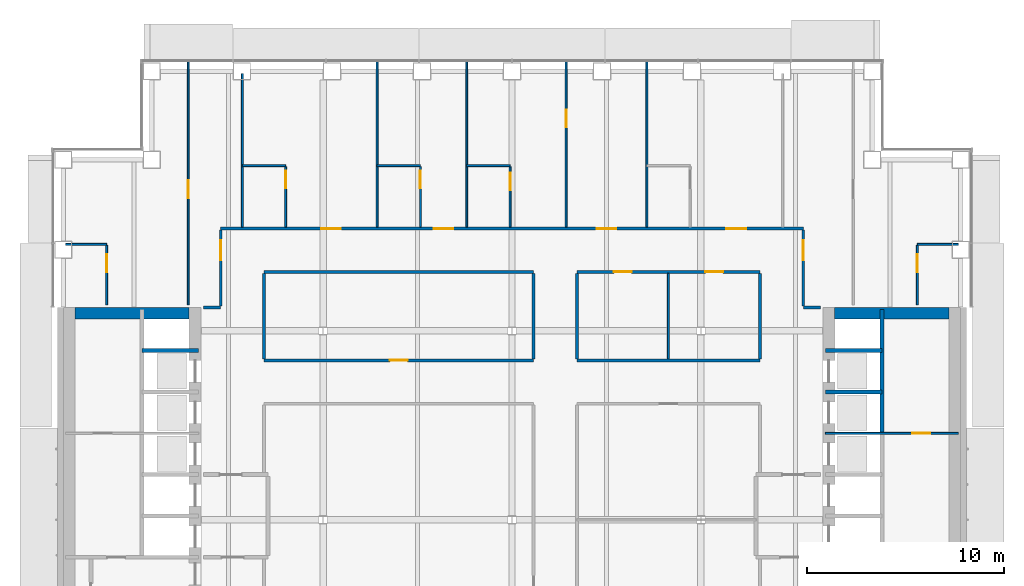
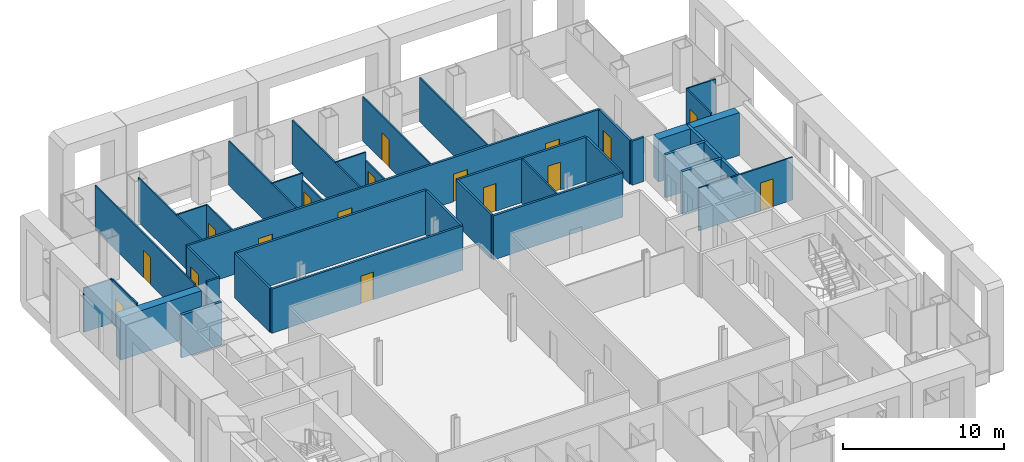
# One storey, part 13 of 20: 37 walls, 17 doors, 17 openings.
"""IFC4 building model written with IfcOpenShell, lengths in metres."""

from ifc_helpers import new_model, si_unit, direction, frame, frame_2d, origin, place, context, subcontext, project, spatial, rectangle, extrude, material, layer, layer_set, type_object, element, fill, save


model = new_model("IFC4")

# Units and contexts
model_context = context("Model", 3, precision=1e-05, world=origin(), true_north=direction((0.0, 1.0)))
body_context = subcontext(model_context, "Body", "Model", "MODEL_VIEW")
ifc_project = project(units=[si_unit("LENGTHUNIT", "METRE"), si_unit("AREAUNIT", "SQUARE_METRE"), si_unit("VOLUMEUNIT", "CUBIC_METRE"), si_unit("PLANEANGLEUNIT", "RADIAN"), si_unit("MASSUNIT", "GRAM", prefix="KILO")], contexts=[model_context])

# Site, building, storey
site_placement = place(None, origin())
site = spatial("IfcSite", under=ifc_project, at=site_placement, CompositionType="ELEMENT")
building_placement = place(site_placement, origin())
building = spatial("IfcBuilding", under=site, at=building_placement, Name="Cobrizo Arcos Hotel Tower", CompositionType="ELEMENT")
storey_placement = place(building_placement, frame((0.0, 0.0, 96.0)))
storey = spatial("IfcBuildingStorey", under=building, at=storey_placement, Name="L23", CompositionType="ELEMENT", Elevation=96.0)

# Wall, opening, door
ifc_material_1 = material(Name="Gypsum board partition")
ifc_layer_1 = layer(ifc_material_1, 0.14990234375)
ifc_layer_set_1 = layer_set([ifc_layer_1], Name="Corridor wall EI 60 150")
wall_type_1 = type_object("IfcWallType", Name="Corridor wall EI 60 150", PredefinedType="PARTITIONING", material=ifc_layer_set_1)
wall_1_placement = place(storey_placement, frame((-12.60009765625, 8.10009765625, 0.0), z_axis=(0.0, 0.0, 1.0), x_axis=(1.0, 0.0, 0.0)))
wall_1 = element("IfcWall", 1, at=wall_1_placement, inside=storey, type_object=wall_type_1, Name="Partition 037", PredefinedType="PARTITIONING", context=body_context, shape_type="SweptSolid", body=[
    extrude(rectangle(XDim=13.7001953125, YDim=0.14990234375, at=frame_2d((6.85009765625, 0.0))), origin(), (0.0, 0.0, 1.0), 3.35009765625),
])
opening_1_placement = place(wall_1_placement, frame((6.39990234375, 0.0, 0.0)))
opening_1 = element("IfcOpeningElement", 2, at=opening_1_placement, cuts=wall_1, Name="Opening RD-17", PredefinedType="OPENING", context=body_context, shape_type="SweptSolid", body=[
    extrude(rectangle(XDim=0.89990234375, YDim=2.10009765625, at=frame_2d((0.449951171875, 1.050048828125))), frame((0.0, 0.0869140625, 0.0), z_axis=(0.0, -1.0, 0.0), x_axis=(1.0, 0.0, 0.0)), (0.0, 0.0, 1.0), 0.173828125),
])
ifc_material_2 = material(Name="Timber door leaf", Category="wood")
door_type_1 = type_object("IfcDoorType", Name="Room door FD30 900x2100", OperationType="SINGLE_SWING_LEFT", PredefinedType="DOOR", material=ifc_material_2)
door_1_placement = place(opening_1_placement, origin())
door_1 = element("IfcDoor", 3, at=door_1_placement, inside=storey, type_object=door_type_1, Name="Door RD-17", OperationType="SINGLE_SWING_RIGHT", OverallHeight=2.10009765625, OverallWidth=0.89990234375, PredefinedType="DOOR", context=body_context, shape_type="SweptSolid", body=[
    extrude(rectangle(XDim=0.89990234375, YDim=2.10009765625, at=frame_2d((0.449951171875, 1.050048828125))), frame((0.0, 0.02490234375, 0.0), z_axis=(0.0, -1.0, 0.0), x_axis=(1.0, 0.0, 0.0)), (0.0, 0.0, 1.0), 0.050048828125),
])
fill(opening_1, door_1)

# Walls
wall_2_placement = place(storey_placement, frame((3.300048828125, 8.10009765625, 0.0), z_axis=(0.0, 0.0, 1.0), x_axis=(1.0, 0.0, 0.0)))
element("IfcWall", 4, at=wall_2_placement, inside=storey, type_object=wall_type_1, Name="Partition 038", PredefinedType="PARTITIONING", context=body_context, shape_type="SweptSolid", body=[
    extrude(rectangle(XDim=9.300048828125, YDim=0.14990234375, at=frame_2d((4.64990234375, 0.0))), origin(), (0.0, 0.0, 1.0), 3.35009765625),
])
for number, where, z_axis, x_axis, name in (
    (5, (-15.679931640625, 10.800048828125, 0.0), (0.0, 0.0, 1.0), (1.0, 0.0, 0.0), "Partition 041"),
    (6, (14.800048828125, 10.800048828125, 0.0), (0.0, 0.0, 1.0), (1.0, 0.0, 0.0), "Partition 042"),
):
    element("IfcWall", number, at=place(storey_placement, frame(where, z_axis=z_axis, x_axis=x_axis)), inside=storey, type_object=wall_type_1, Name=name, PredefinedType="PARTITIONING", context=body_context, shape_type="SweptSolid", body=[
        extrude(rectangle(XDim=0.8798828125, YDim=0.14990234375, at=frame_2d((0.43994140625, 0.0))), origin(), (0.0, 0.0, 1.0), 3.35009765625),
    ])
wall_3_placement = place(storey_placement, frame((-12.60009765625, 12.60009765625, 0.0), z_axis=(0.0, 0.0, 1.0), x_axis=(1.0, 0.0, 0.0)))
element("IfcWall", 7, at=wall_3_placement, inside=storey, type_object=wall_type_1, Name="Partition 043", PredefinedType="PARTITIONING", context=body_context, shape_type="SweptSolid", body=[
    extrude(rectangle(XDim=13.7001953125, YDim=0.14990234375, at=frame_2d((6.85009765625, 0.0))), origin(), (0.0, 0.0, 1.0), 3.35009765625),
])

# Wall, openings, doors
wall_4_placement = place(storey_placement, frame((3.300048828125, 12.60009765625, 0.0), z_axis=(0.0, 0.0, 1.0), x_axis=(1.0, 0.0, 0.0)))
wall_4 = element("IfcWall", 8, at=wall_4_placement, inside=storey, type_object=wall_type_1, Name="Partition 044", PredefinedType="PARTITIONING", context=body_context, shape_type="SweptSolid", body=[
    extrude(rectangle(XDim=9.300048828125, YDim=0.14990234375, at=frame_2d((4.64990234375, 0.0))), origin(), (0.0, 0.0, 1.0), 3.35009765625),
])
opening_2_placement = place(wall_4_placement, frame((1.875, 0.0, 0.0)))
opening_2 = element("IfcOpeningElement", 9, at=opening_2_placement, cuts=wall_4, Name="Opening ED-14", PredefinedType="OPENING", context=body_context, shape_type="SweptSolid", body=[
    extrude(rectangle(XDim=0.89990234375, YDim=2.10009765625, at=frame_2d((0.449951171875, 1.050048828125))), frame((0.0, 0.0869140625, 0.0), z_axis=(0.0, -1.0, 0.0), x_axis=(1.0, 0.0, 0.0)), (0.0, 0.0, 1.0), 0.173828125),
])
opening_3_placement = place(wall_4_placement, frame((6.52490234375, 0.0, 0.0)))
opening_3 = element("IfcOpeningElement", 10, at=opening_3_placement, cuts=wall_4, Name="Opening ED-15", PredefinedType="OPENING", context=body_context, shape_type="SweptSolid", body=[
    extrude(rectangle(XDim=0.89990234375, YDim=2.10009765625, at=frame_2d((0.449951171875, 1.050048828125))), frame((0.0, 0.0869140625, 0.0), z_axis=(0.0, -1.0, 0.0), x_axis=(1.0, 0.0, 0.0)), (0.0, 0.0, 1.0), 0.173828125),
])
door_type_2 = type_object("IfcDoorType", Name="En-suite door 900x2100", OperationType="SINGLE_SWING_LEFT", PredefinedType="DOOR", material=ifc_material_2)
door_2_placement = place(opening_2_placement, origin())
door_2 = element("IfcDoor", 11, at=door_2_placement, inside=storey, type_object=door_type_2, Name="Door ED-14", OperationType="SINGLE_SWING_LEFT", OverallHeight=2.10009765625, OverallWidth=0.89990234375, PredefinedType="DOOR", context=body_context, shape_type="SweptSolid", body=[
    extrude(rectangle(XDim=0.89990234375, YDim=2.10009765625, at=frame_2d((0.449951171875, 1.050048828125))), frame((0.0, 0.02490234375, 0.0), z_axis=(0.0, -1.0, 0.0), x_axis=(1.0, 0.0, 0.0)), (0.0, 0.0, 1.0), 0.050048828125),
])
fill(opening_2, door_2)
door_3_placement = place(opening_3_placement, origin())
door_3 = element("IfcDoor", 12, at=door_3_placement, inside=storey, type_object=door_type_2, Name="Door ED-15", OperationType="SINGLE_SWING_RIGHT", OverallHeight=2.10009765625, OverallWidth=0.89990234375, PredefinedType="DOOR", context=body_context, shape_type="SweptSolid", body=[
    extrude(rectangle(XDim=0.89990234375, YDim=2.10009765625, at=frame_2d((0.449951171875, 1.050048828125))), frame((0.0, 0.02490234375, 0.0), z_axis=(0.0, -1.0, 0.0), x_axis=(1.0, 0.0, 0.0)), (0.0, 0.0, 1.0), 0.050048828125),
])
fill(opening_3, door_3)

wall_5_placement = place(storey_placement, frame((-14.800048828125, 14.800048828125, 0.0), z_axis=(0.0, 0.0, 1.0), x_axis=(1.0, 0.0, 0.0)))
wall_5 = element("IfcWall", 13, at=wall_5_placement, inside=storey, type_object=wall_type_1, Name="Partition 047", PredefinedType="PARTITIONING", context=body_context, shape_type="SweptSolid", body=[
    extrude(rectangle(XDim=29.60009765625, YDim=0.14990234375, at=frame_2d((14.800048828125, 0.0))), origin(), (0.0, 0.0, 1.0), 3.35009765625),
])
opening_4_placement = place(wall_5_placement, frame((5.10693359375, 0.0, 0.0)))
opening_4 = element("IfcOpeningElement", 14, at=opening_4_placement, cuts=wall_5, Name="Opening GD-01", PredefinedType="OPENING", context=body_context, shape_type="SweptSolid", body=[
    extrude(rectangle(XDim=1.0, YDim=2.10009765625, at=frame_2d((0.5, 1.050048828125))), frame((0.0, 0.0869140625, 0.0), z_axis=(0.0, -1.0, 0.0), x_axis=(1.0, 0.0, 0.0)), (0.0, 0.0, 1.0), 0.173828125),
])
opening_5_placement = place(wall_5_placement, frame((10.825927734375, 0.0, 0.0)))
opening_5 = element("IfcOpeningElement", 15, at=opening_5_placement, cuts=wall_5, Name="Opening GD-02", PredefinedType="OPENING", context=body_context, shape_type="SweptSolid", body=[
    extrude(rectangle(XDim=1.0, YDim=2.10009765625, at=frame_2d((0.5, 1.050048828125))), frame((0.0, 0.0869140625, 0.0), z_axis=(0.0, -1.0, 0.0), x_axis=(1.0, 0.0, 0.0)), (0.0, 0.0, 1.0), 0.173828125),
])
opening_6_placement = place(wall_5_placement, frame((19.10400390625, 0.0, 0.0)))
opening_6 = element("IfcOpeningElement", 16, at=opening_6_placement, cuts=wall_5, Name="Opening GD-03", PredefinedType="OPENING", context=body_context, shape_type="SweptSolid", body=[
    extrude(rectangle(XDim=1.0, YDim=2.10009765625, at=frame_2d((0.5, 1.050048828125))), frame((0.0, 0.0869140625, 0.0), z_axis=(0.0, -1.0, 0.0), x_axis=(1.0, 0.0, 0.0)), (0.0, 0.0, 1.0), 0.173828125),
])
opening_7_placement = place(wall_5_placement, frame((25.694091796875, 0.0, 0.0)))
opening_7 = element("IfcOpeningElement", 17, at=opening_7_placement, cuts=wall_5, Name="Opening GD-04", PredefinedType="OPENING", context=body_context, shape_type="SweptSolid", body=[
    extrude(rectangle(XDim=1.0, YDim=2.10009765625, at=frame_2d((0.5, 1.050048828125))), frame((0.0, 0.0869140625, 0.0), z_axis=(0.0, -1.0, 0.0), x_axis=(1.0, 0.0, 0.0)), (0.0, 0.0, 1.0), 0.173828125),
])
door_type_3 = type_object("IfcDoorType", Name="Guest room door FD30S 1000x2100", OperationType="SINGLE_SWING_LEFT", PredefinedType="DOOR", material=ifc_material_2)
door_4_placement = place(opening_4_placement, origin())
door_4 = element("IfcDoor", 18, at=door_4_placement, inside=storey, type_object=door_type_3, Name="Door GD-01", OperationType="SINGLE_SWING_LEFT", OverallHeight=2.10009765625, OverallWidth=1.0, PredefinedType="DOOR", context=body_context, shape_type="SweptSolid", body=[
    extrude(rectangle(XDim=1.0, YDim=2.10009765625, at=frame_2d((0.5, 1.050048828125))), frame((0.0, 0.02490234375, 0.0), z_axis=(0.0, -1.0, 0.0), x_axis=(1.0, 0.0, 0.0)), (0.0, 0.0, 1.0), 0.050048828125),
])
fill(opening_4, door_4)
door_5_placement = place(opening_5_placement, origin())
door_5 = element("IfcDoor", 19, at=door_5_placement, inside=storey, type_object=door_type_3, Name="Door GD-02", OperationType="SINGLE_SWING_LEFT", OverallHeight=2.10009765625, OverallWidth=1.0, PredefinedType="DOOR", context=body_context, shape_type="SweptSolid", body=[
    extrude(rectangle(XDim=1.0, YDim=2.10009765625, at=frame_2d((0.5, 1.050048828125))), frame((0.0, 0.02490234375, 0.0), z_axis=(0.0, -1.0, 0.0), x_axis=(1.0, 0.0, 0.0)), (0.0, 0.0, 1.0), 0.050048828125),
])
fill(opening_5, door_5)
door_6_placement = place(opening_6_placement, origin())
door_6 = element("IfcDoor", 20, at=door_6_placement, inside=storey, type_object=door_type_3, Name="Door GD-03", OperationType="SINGLE_SWING_LEFT", OverallHeight=2.10009765625, OverallWidth=1.0, PredefinedType="DOOR", context=body_context, shape_type="SweptSolid", body=[
    extrude(rectangle(XDim=1.0, YDim=2.10009765625, at=frame_2d((0.5, 1.050048828125))), frame((0.0, 0.02490234375, 0.0), z_axis=(0.0, -1.0, 0.0), x_axis=(1.0, 0.0, 0.0)), (0.0, 0.0, 1.0), 0.050048828125),
])
fill(opening_6, door_6)
door_7_placement = place(opening_7_placement, origin())
door_7 = element("IfcDoor", 21, at=door_7_placement, inside=storey, type_object=door_type_3, Name="Door GD-04", OperationType="SINGLE_SWING_LEFT", OverallHeight=2.10009765625, OverallWidth=1.0, PredefinedType="DOOR", context=body_context, shape_type="SweptSolid", body=[
    extrude(rectangle(XDim=1.0, YDim=2.10009765625, at=frame_2d((0.5, 1.050048828125))), frame((0.0, 0.02490234375, 0.0), z_axis=(0.0, -1.0, 0.0), x_axis=(1.0, 0.0, 0.0)), (0.0, 0.0, 1.0), 0.050048828125),
])
fill(opening_7, door_7)

# Wall, opening, door
wall_6_placement = place(storey_placement, frame((-14.800048828125, 10.875, 0.0), z_axis=(0.0, 0.0, 1.0), x_axis=(0.0, 1.0, 0.0)))
wall_6 = element("IfcWall", 22, at=wall_6_placement, inside=storey, type_object=wall_type_1, Name="Partition 061", PredefinedType="PARTITIONING", context=body_context, shape_type="SweptSolid", body=[
    extrude(rectangle(XDim=3.85009765625, YDim=0.14990234375, at=frame_2d((1.925048828125, 0.0))), origin(), (0.0, 0.0, 1.0), 3.35009765625),
])
opening_8_placement = place(wall_6_placement, frame((2.324951171875, 0.0, 0.0)))
opening_8 = element("IfcOpeningElement", 23, at=opening_8_placement, cuts=wall_6, Name="Opening GD-11", PredefinedType="OPENING", context=body_context, shape_type="SweptSolid", body=[
    extrude(rectangle(XDim=1.0, YDim=2.10009765625, at=frame_2d((0.5, 1.050048828125))), frame((0.0, 0.0869140625, 0.0), z_axis=(0.0, -1.0, 0.0), x_axis=(1.0, 0.0, 0.0)), (0.0, 0.0, 1.0), 0.173828125),
])
door_8_placement = place(opening_8_placement, origin())
door_8 = element("IfcDoor", 24, at=door_8_placement, inside=storey, type_object=door_type_3, Name="Door GD-11", OperationType="SINGLE_SWING_LEFT", OverallHeight=2.10009765625, OverallWidth=1.0, PredefinedType="DOOR", context=body_context, shape_type="SweptSolid", body=[
    extrude(rectangle(XDim=1.0, YDim=2.10009765625, at=frame_2d((0.5, 1.050048828125))), frame((0.0, 0.02490234375, 0.0), z_axis=(0.0, -1.0, 0.0), x_axis=(1.0, 0.0, 0.0)), (0.0, 0.0, 1.0), 0.050048828125),
])
fill(opening_8, door_8)

# Walls
for number, where, z_axis, x_axis, name in (
    (25, (-12.60009765625, 8.175048828125, 0.0), (0.0, 0.0, 1.0), (0.0, 1.0, 0.0), "Partition 066"),
    (26, (1.10009765625, 8.175048828125, 0.0), (0.0, 0.0, 1.0), (0.0, 1.0, 0.0), "Partition 080"),
    (27, (3.300048828125, 8.175048828125, 0.0), (0.0, 0.0, 1.0), (0.0, 1.0, 0.0), "Partition 084"),
    (28, (12.60009765625, 8.175048828125, 0.0), (0.0, 0.0, 1.0), (0.0, 1.0, 0.0), "Partition 094"),
):
    element("IfcWall", number, at=place(storey_placement, frame(where, z_axis=z_axis, x_axis=x_axis)), inside=storey, type_object=wall_type_1, Name=name, PredefinedType="PARTITIONING", context=body_context, shape_type="SweptSolid", body=[
        extrude(rectangle(XDim=4.349853515625, YDim=0.14990234375, at=frame_2d((2.1748046875, 0.0))), origin(), (0.0, 0.0, 1.0), 3.35009765625),
    ])

# Wall, opening, door
wall_7_placement = place(storey_placement, frame((14.800048828125, 10.875, 0.0), z_axis=(0.0, 0.0, 1.0), x_axis=(0.0, 1.0, 0.0)))
wall_7 = element("IfcWall", 29, at=wall_7_placement, inside=storey, type_object=wall_type_1, Name="Partition 098", PredefinedType="PARTITIONING", context=body_context, shape_type="SweptSolid", body=[
    extrude(rectangle(XDim=3.85009765625, YDim=0.14990234375, at=frame_2d((1.925048828125, 0.0))), origin(), (0.0, 0.0, 1.0), 3.35009765625),
])
opening_9_placement = place(wall_7_placement, frame((2.324951171875, 0.0, 0.0)))
opening_9 = element("IfcOpeningElement", 30, at=opening_9_placement, cuts=wall_7, Name="Opening GD-13", PredefinedType="OPENING", context=body_context, shape_type="SweptSolid", body=[
    extrude(rectangle(XDim=1.0, YDim=2.10009765625, at=frame_2d((0.5, 1.050048828125))), frame((0.0, 0.0869140625, 0.0), z_axis=(0.0, -1.0, 0.0), x_axis=(1.0, 0.0, 0.0)), (0.0, 0.0, 1.0), 0.173828125),
])
door_9_placement = place(opening_9_placement, origin())
door_9 = element("IfcDoor", 31, at=door_9_placement, inside=storey, type_object=door_type_3, Name="Door GD-13", OperationType="SINGLE_SWING_LEFT", OverallHeight=2.10009765625, OverallWidth=1.0, PredefinedType="DOOR", context=body_context, shape_type="SweptSolid", body=[
    extrude(rectangle(XDim=1.0, YDim=2.10009765625, at=frame_2d((0.5, 1.050048828125))), frame((0.0, 0.02490234375, 0.0), z_axis=(0.0, -1.0, 0.0), x_axis=(1.0, 0.0, 0.0)), (0.0, 0.0, 1.0), 0.050048828125),
])
fill(opening_9, door_9)

ifc_layer_2 = layer(ifc_material_1, 0.10009765625)
ifc_layer_set_2 = layer_set([ifc_layer_2], Name="Partition EI 30 100")
wall_type_2 = type_object("IfcWallType", Name="Partition EI 30 100", PredefinedType="PARTITIONING", material=ifc_layer_set_2)
wall_8_placement = place(storey_placement, frame((15.919921875, 4.39990234375, 0.0), z_axis=(0.0, 0.0, 1.0), x_axis=(1.0, 0.0, 0.0)))
wall_8 = element("IfcWall", 32, at=wall_8_placement, inside=storey, type_object=wall_type_2, Name="Partition 032", PredefinedType="PARTITIONING", context=body_context, shape_type="SweptSolid", body=[
    extrude(rectangle(XDim=6.760009765625, YDim=0.10009765625, at=frame_2d((3.3798828125, 0.0))), origin(), (0.0, 0.0, 1.0), 3.25),
])
opening_10_placement = place(wall_8_placement, frame((4.429931640625, 0.0, 0.0)))
opening_10 = element("IfcOpeningElement", 33, at=opening_10_placement, cuts=wall_8, Name="Opening RD-10", PredefinedType="OPENING", context=body_context, shape_type="SweptSolid", body=[
    extrude(rectangle(XDim=0.89990234375, YDim=2.10009765625, at=frame_2d((0.449951171875, 1.050048828125))), frame((0.0, 0.06201171875, 0.0), z_axis=(0.0, -1.0, 0.0), x_axis=(1.0, 0.0, 0.0)), (0.0, 0.0, 1.0), 0.1240234375),
])
door_10_placement = place(opening_10_placement, origin())
door_10 = element("IfcDoor", 34, at=door_10_placement, inside=storey, type_object=door_type_1, Name="Door RD-10", OperationType="SINGLE_SWING_LEFT", OverallHeight=2.10009765625, OverallWidth=0.89990234375, PredefinedType="DOOR", context=body_context, shape_type="SweptSolid", body=[
    extrude(rectangle(XDim=0.89990234375, YDim=2.10009765625, at=frame_2d((0.449951171875, 1.050048828125))), frame((0.0, 0.02490234375, 0.0), z_axis=(0.0, -1.0, 0.0), x_axis=(1.0, 0.0, 0.0)), (0.0, 0.0, 1.0), 0.050048828125),
])
fill(opening_10, door_10)

# Walls
for number, where, z_axis, x_axis, name in (
    (35, (-22.679931640625, 14.0, 0.0), (0.0, 0.0, 1.0), (1.0, 0.0, 0.0), "Partition 045"),
    (36, (20.60009765625, 14.0, 0.0), (0.0, 0.0, 1.0), (1.0, 0.0, 0.0), "Partition 046"),
):
    element("IfcWall", number, at=place(storey_placement, frame(where, z_axis=z_axis, x_axis=x_axis)), inside=storey, type_object=wall_type_2, Name=name, PredefinedType="PARTITIONING", context=body_context, shape_type="SweptSolid", body=[
        extrude(rectangle(XDim=2.079833984375, YDim=0.10009765625, at=frame_2d((1.0400390625, 0.0))), origin(), (0.0, 0.0, 1.0), 3.35009765625),
    ])
wall_9_placement = place(storey_placement, frame((-13.699951171875, 18.0, 0.0), z_axis=(0.0, 0.0, 1.0), x_axis=(1.0, 0.0, 0.0)))
element("IfcWall", 37, at=wall_9_placement, inside=storey, type_object=wall_type_2, Name="Partition 048", PredefinedType="PARTITIONING", context=body_context, shape_type="SweptSolid", body=[
    extrude(rectangle(XDim=2.199951171875, YDim=0.10009765625, at=frame_2d((1.10009765625, 0.0))), origin(), (0.0, 0.0, 1.0), 3.35009765625),
])
wall_10_placement = place(storey_placement, frame((-6.85009765625, 18.0, 0.0), z_axis=(0.0, 0.0, 1.0), x_axis=(1.0, 0.0, 0.0)))
element("IfcWall", 38, at=wall_10_placement, inside=storey, type_object=wall_type_2, Name="Partition 049", PredefinedType="PARTITIONING", context=body_context, shape_type="SweptSolid", body=[
    extrude(rectangle(XDim=2.2001953125, YDim=0.10009765625, at=frame_2d((1.10009765625, 0.0))), origin(), (0.0, 0.0, 1.0), 3.35009765625),
])
wall_11_placement = place(storey_placement, frame((-2.300048828125, 18.0, 0.0), z_axis=(0.0, 0.0, 1.0), x_axis=(1.0, 0.0, 0.0)))
element("IfcWall", 39, at=wall_11_placement, inside=storey, type_object=wall_type_2, Name="Partition 050", PredefinedType="PARTITIONING", context=body_context, shape_type="SweptSolid", body=[
    extrude(rectangle(XDim=2.199951171875, YDim=0.10009765625, at=frame_2d((1.10009765625, 0.0))), origin(), (0.0, 0.0, 1.0), 3.35009765625),
])

# Wall, opening, door
wall_12_placement = place(storey_placement, frame((-20.60009765625, 10.919921875, 0.0), z_axis=(0.0, 0.0, 1.0), x_axis=(0.0, 1.0, 0.0)))
wall_12 = element("IfcWall", 40, at=wall_12_placement, inside=storey, type_object=wall_type_2, Name="Partition 054", PredefinedType="PARTITIONING", context=body_context, shape_type="SweptSolid", body=[
    extrude(rectangle(XDim=3.030029296875, YDim=0.10009765625, at=frame_2d((1.51513671875, 0.0))), origin(), (0.0, 0.0, 1.0), 3.35009765625),
])
opening_11_placement = place(wall_12_placement, frame((1.669921875, 0.0, 0.0)))
opening_11 = element("IfcOpeningElement", 41, at=opening_11_placement, cuts=wall_12, Name="Opening ED-11", PredefinedType="OPENING", context=body_context, shape_type="SweptSolid", body=[
    extrude(rectangle(XDim=0.89990234375, YDim=2.10009765625, at=frame_2d((0.449951171875, 1.050048828125))), frame((0.0, 0.06201171875, 0.0), z_axis=(0.0, -1.0, 0.0), x_axis=(1.0, 0.0, 0.0)), (0.0, 0.0, 1.0), 0.1240234375),
])
door_11_placement = place(opening_11_placement, origin())
door_11 = element("IfcDoor", 42, at=door_11_placement, inside=storey, type_object=door_type_2, Name="Door ED-11", OperationType="SINGLE_SWING_LEFT", OverallHeight=2.10009765625, OverallWidth=0.89990234375, PredefinedType="DOOR", context=body_context, shape_type="SweptSolid", body=[
    extrude(rectangle(XDim=0.89990234375, YDim=2.10009765625, at=frame_2d((0.449951171875, 1.050048828125))), frame((0.0, 0.02490234375, 0.0), z_axis=(0.0, -1.0, 0.0), x_axis=(1.0, 0.0, 0.0)), (0.0, 0.0, 1.0), 0.050048828125),
])
fill(opening_11, door_11)

wall_13_placement = place(storey_placement, frame((-16.449951171875, 10.919921875, 0.0), z_axis=(0.0, 0.0, 1.0), x_axis=(0.0, 1.0, 0.0)))
wall_13 = element("IfcWall", 43, at=wall_13_placement, inside=storey, type_object=wall_type_2, Name="Partition 059", PredefinedType="PARTITIONING", context=body_context, shape_type="SweptSolid", body=[
    extrude(rectangle(XDim=12.360107421875, YDim=0.10009765625, at=frame_2d((6.18017578125, 0.0))), origin(), (0.0, 0.0, 1.0), 3.35009765625),
])
opening_12_placement = place(wall_13_placement, frame((5.429931640625, 0.0, 0.0)))
opening_12 = element("IfcOpeningElement", 44, at=opening_12_placement, cuts=wall_13, Name="Opening RD-13", PredefinedType="OPENING", context=body_context, shape_type="SweptSolid", body=[
    extrude(rectangle(XDim=0.89990234375, YDim=2.10009765625, at=frame_2d((0.449951171875, 1.050048828125))), frame((0.0, 0.06201171875, 0.0), z_axis=(0.0, -1.0, 0.0), x_axis=(1.0, 0.0, 0.0)), (0.0, 0.0, 1.0), 0.1240234375),
])
door_12_placement = place(opening_12_placement, origin())
door_12 = element("IfcDoor", 45, at=door_12_placement, inside=storey, type_object=door_type_1, Name="Door RD-13", OperationType="SINGLE_SWING_RIGHT", OverallHeight=2.10009765625, OverallWidth=0.89990234375, PredefinedType="DOOR", context=body_context, shape_type="SweptSolid", body=[
    extrude(rectangle(XDim=0.89990234375, YDim=2.10009765625, at=frame_2d((0.449951171875, 1.050048828125))), frame((0.0, 0.02490234375, 0.0), z_axis=(0.0, -1.0, 0.0), x_axis=(1.0, 0.0, 0.0)), (0.0, 0.0, 1.0), 0.050048828125),
])
fill(opening_12, door_12)

# Wall
wall_14_placement = place(storey_placement, frame((-13.699951171875, 14.875, 0.0), z_axis=(0.0, 0.0, 1.0), x_axis=(0.0, 1.0, 0.0)))
element("IfcWall", 46, at=wall_14_placement, inside=storey, type_object=wall_type_2, Name="Partition 063", PredefinedType="PARTITIONING", context=body_context, shape_type="SweptSolid", body=[
    extrude(rectangle(XDim=7.804931640625, YDim=0.10009765625, at=frame_2d((3.90234375, 0.0))), origin(), (0.0, 0.0, 1.0), 3.35009765625),
])

# Wall, opening, door
wall_15_placement = place(storey_placement, frame((-11.5, 14.875, 0.0), z_axis=(0.0, 0.0, 1.0), x_axis=(0.0, 1.0, 0.0)))
wall_15 = element("IfcWall", 47, at=wall_15_placement, inside=storey, type_object=wall_type_2, Name="Partition 068", PredefinedType="PARTITIONING", context=body_context, shape_type="SweptSolid", body=[
    extrude(rectangle(XDim=3.074951171875, YDim=0.10009765625, at=frame_2d((1.53759765625, 0.0))), origin(), (0.0, 0.0, 1.0), 3.35009765625),
])
opening_13_placement = place(wall_15_placement, frame((1.970947265625, 0.0, 0.0)))
opening_13 = element("IfcOpeningElement", 48, at=opening_13_placement, cuts=wall_15, Name="Opening ED-01", PredefinedType="OPENING", context=body_context, shape_type="SweptSolid", body=[
    extrude(rectangle(XDim=0.89990234375, YDim=2.10009765625, at=frame_2d((0.449951171875, 1.050048828125))), frame((0.0, 0.06201171875, 0.0), z_axis=(0.0, -1.0, 0.0), x_axis=(1.0, 0.0, 0.0)), (0.0, 0.0, 1.0), 0.1240234375),
])
door_13_placement = place(opening_13_placement, origin())
door_13 = element("IfcDoor", 49, at=door_13_placement, inside=storey, type_object=door_type_2, Name="Door ED-01", OperationType="SINGLE_SWING_RIGHT", OverallHeight=2.10009765625, OverallWidth=0.89990234375, PredefinedType="DOOR", context=body_context, shape_type="SweptSolid", body=[
    extrude(rectangle(XDim=0.89990234375, YDim=2.10009765625, at=frame_2d((0.449951171875, 1.050048828125))), frame((0.0, 0.02490234375, 0.0), z_axis=(0.0, -1.0, 0.0), x_axis=(1.0, 0.0, 0.0)), (0.0, 0.0, 1.0), 0.050048828125),
])
fill(opening_13, door_13)

# Wall
wall_16_placement = place(storey_placement, frame((-6.85009765625, 14.875, 0.0), z_axis=(0.0, 0.0, 1.0), x_axis=(0.0, 1.0, 0.0)))
element("IfcWall", 50, at=wall_16_placement, inside=storey, type_object=wall_type_2, Name="Partition 072", PredefinedType="PARTITIONING", context=body_context, shape_type="SweptSolid", body=[
    extrude(rectangle(XDim=8.405029296875, YDim=0.10009765625, at=frame_2d((4.20263671875, 0.0))), origin(), (0.0, 0.0, 1.0), 3.35009765625),
])

# Wall, opening, door
wall_17_placement = place(storey_placement, frame((-4.64990234375, 14.875, 0.0), z_axis=(0.0, 0.0, 1.0), x_axis=(0.0, 1.0, 0.0)))
wall_17 = element("IfcWall", 51, at=wall_17_placement, inside=storey, type_object=wall_type_2, Name="Partition 074", PredefinedType="PARTITIONING", context=body_context, shape_type="SweptSolid", body=[
    extrude(rectangle(XDim=3.074951171875, YDim=0.10009765625, at=frame_2d((1.53759765625, 0.0))), origin(), (0.0, 0.0, 1.0), 2.81689453125),
])
opening_14_placement = place(wall_17_placement, frame((1.970947265625, 0.0, 0.0)))
opening_14 = element("IfcOpeningElement", 52, at=opening_14_placement, cuts=wall_17, Name="Opening ED-02", PredefinedType="OPENING", context=body_context, shape_type="SweptSolid", body=[
    extrude(rectangle(XDim=0.89990234375, YDim=2.10009765625, at=frame_2d((0.449951171875, 1.050048828125))), frame((0.0, 0.06201171875, 0.0), z_axis=(0.0, -1.0, 0.0), x_axis=(1.0, 0.0, 0.0)), (0.0, 0.0, 1.0), 0.1240234375),
])
door_14_placement = place(opening_14_placement, origin())
door_14 = element("IfcDoor", 53, at=door_14_placement, inside=storey, type_object=door_type_2, Name="Door ED-02", OperationType="SINGLE_SWING_RIGHT", OverallHeight=2.10009765625, OverallWidth=0.89990234375, PredefinedType="DOOR", context=body_context, shape_type="SweptSolid", body=[
    extrude(rectangle(XDim=0.89990234375, YDim=2.10009765625, at=frame_2d((0.449951171875, 1.050048828125))), frame((0.0, 0.02490234375, 0.0), z_axis=(0.0, -1.0, 0.0), x_axis=(1.0, 0.0, 0.0)), (0.0, 0.0, 1.0), 0.050048828125),
])
fill(opening_14, door_14)

# Wall
wall_18_placement = place(storey_placement, frame((-2.300048828125, 14.875, 0.0), z_axis=(0.0, 0.0, 1.0), x_axis=(0.0, 1.0, 0.0)))
element("IfcWall", 54, at=wall_18_placement, inside=storey, type_object=wall_type_2, Name="Partition 076", PredefinedType="PARTITIONING", context=body_context, shape_type="SweptSolid", body=[
    extrude(rectangle(XDim=8.405029296875, YDim=0.10009765625, at=frame_2d((4.20263671875, 0.0))), origin(), (0.0, 0.0, 1.0), 3.35009765625),
])

# Wall, opening, door
wall_19_placement = place(storey_placement, frame((-0.10009765625, 14.875, 0.0), z_axis=(0.0, 0.0, 1.0), x_axis=(0.0, 1.0, 0.0)))
wall_19 = element("IfcWall", 55, at=wall_19_placement, inside=storey, type_object=wall_type_2, Name="Partition 078", PredefinedType="PARTITIONING", context=body_context, shape_type="SweptSolid", body=[
    extrude(rectangle(XDim=3.074951171875, YDim=0.10009765625, at=frame_2d((1.53759765625, 0.0))), origin(), (0.0, 0.0, 1.0), 2.72802734375),
])
opening_15_placement = place(wall_19_placement, frame((1.875, 0.0, 0.0)))
opening_15 = element("IfcOpeningElement", 56, at=opening_15_placement, cuts=wall_19, Name="Opening ED-03", PredefinedType="OPENING", context=body_context, shape_type="SweptSolid", body=[
    extrude(rectangle(XDim=0.89990234375, YDim=2.10009765625, at=frame_2d((0.449951171875, 1.050048828125))), frame((0.0, 0.06201171875, 0.0), z_axis=(0.0, -1.0, 0.0), x_axis=(1.0, 0.0, 0.0)), (0.0, 0.0, 1.0), 0.1240234375),
])
door_15_placement = place(opening_15_placement, origin())
door_15 = element("IfcDoor", 57, at=door_15_placement, inside=storey, type_object=door_type_2, Name="Door ED-03", OperationType="SINGLE_SWING_LEFT", OverallHeight=2.10009765625, OverallWidth=0.89990234375, PredefinedType="DOOR", context=body_context, shape_type="SweptSolid", body=[
    extrude(rectangle(XDim=0.89990234375, YDim=2.10009765625, at=frame_2d((0.449951171875, 1.050048828125))), frame((0.0, 0.02490234375, 0.0), z_axis=(0.0, -1.0, 0.0), x_axis=(1.0, 0.0, 0.0)), (0.0, 0.0, 1.0), 0.050048828125),
])
fill(opening_15, door_15)

wall_20_placement = place(storey_placement, frame((2.75, 14.875, 0.0), z_axis=(0.0, 0.0, 1.0), x_axis=(0.0, 1.0, 0.0)))
wall_20 = element("IfcWall", 58, at=wall_20_placement, inside=storey, type_object=wall_type_2, Name="Partition 082", PredefinedType="PARTITIONING", context=body_context, shape_type="SweptSolid", body=[
    extrude(rectangle(XDim=8.405029296875, YDim=0.10009765625, at=frame_2d((4.20263671875, 0.0))), origin(), (0.0, 0.0, 1.0), 3.35009765625),
])
opening_16_placement = place(wall_20_placement, frame((5.074951171875, 0.0, 0.0)))
opening_16 = element("IfcOpeningElement", 59, at=opening_16_placement, cuts=wall_20, Name="Opening RD-11", PredefinedType="OPENING", context=body_context, shape_type="SweptSolid", body=[
    extrude(rectangle(XDim=0.89990234375, YDim=2.10009765625, at=frame_2d((0.449951171875, 1.050048828125))), frame((0.0, 0.06201171875, 0.0), z_axis=(0.0, -1.0, 0.0), x_axis=(1.0, 0.0, 0.0)), (0.0, 0.0, 1.0), 0.1240234375),
])
door_16_placement = place(opening_16_placement, origin())
door_16 = element("IfcDoor", 60, at=door_16_placement, inside=storey, type_object=door_type_1, Name="Door RD-11", OperationType="SINGLE_SWING_RIGHT", OverallHeight=2.10009765625, OverallWidth=0.89990234375, PredefinedType="DOOR", context=body_context, shape_type="SweptSolid", body=[
    extrude(rectangle(XDim=0.89990234375, YDim=2.10009765625, at=frame_2d((0.449951171875, 1.050048828125))), frame((0.0, 0.02490234375, 0.0), z_axis=(0.0, -1.0, 0.0), x_axis=(1.0, 0.0, 0.0)), (0.0, 0.0, 1.0), 0.050048828125),
])
fill(opening_16, door_16)

# Walls
wall_21_placement = place(storey_placement, frame((6.85009765625, 14.875, 0.0), z_axis=(0.0, 0.0, 1.0), x_axis=(0.0, 1.0, 0.0)))
element("IfcWall", 61, at=wall_21_placement, inside=storey, type_object=wall_type_2, Name="Partition 085", PredefinedType="PARTITIONING", context=body_context, shape_type="SweptSolid", body=[
    extrude(rectangle(XDim=8.405029296875, YDim=0.10009765625, at=frame_2d((4.20263671875, 0.0))), origin(), (0.0, 0.0, 1.0), 3.35009765625),
])
wall_22_placement = place(storey_placement, frame((7.949951171875, 8.175048828125, 0.0), z_axis=(0.0, 0.0, 1.0), x_axis=(0.0, 1.0, 0.0)))
element("IfcWall", 62, at=wall_22_placement, inside=storey, type_object=wall_type_2, Name="Partition 087", PredefinedType="PARTITIONING", context=body_context, shape_type="SweptSolid", body=[
    extrude(rectangle(XDim=4.349853515625, YDim=0.10009765625, at=frame_2d((2.1748046875, 0.0))), origin(), (0.0, 0.0, 1.0), 3.35009765625),
])

# Wall, opening, door
wall_23_placement = place(storey_placement, frame((20.60009765625, 10.919921875, 0.0), z_axis=(0.0, 0.0, 1.0), x_axis=(0.0, 1.0, 0.0)))
wall_23 = element("IfcWall", 63, at=wall_23_placement, inside=storey, type_object=wall_type_2, Name="Partition 105", PredefinedType="PARTITIONING", context=body_context, shape_type="SweptSolid", body=[
    extrude(rectangle(XDim=3.030029296875, YDim=0.10009765625, at=frame_2d((1.51513671875, 0.0))), origin(), (0.0, 0.0, 1.0), 3.35009765625),
])
opening_17_placement = place(wall_23_placement, frame((1.669921875, 0.0, 0.0)))
opening_17 = element("IfcOpeningElement", 64, at=opening_17_placement, cuts=wall_23, Name="Opening ED-13", PredefinedType="OPENING", context=body_context, shape_type="SweptSolid", body=[
    extrude(rectangle(XDim=0.89990234375, YDim=2.10009765625, at=frame_2d((0.449951171875, 1.050048828125))), frame((0.0, 0.06201171875, 0.0), z_axis=(0.0, -1.0, 0.0), x_axis=(1.0, 0.0, 0.0)), (0.0, 0.0, 1.0), 0.1240234375),
])
door_17_placement = place(opening_17_placement, origin())
door_17 = element("IfcDoor", 65, at=door_17_placement, inside=storey, type_object=door_type_2, Name="Door ED-13", OperationType="SINGLE_SWING_RIGHT", OverallHeight=2.10009765625, OverallWidth=0.89990234375, PredefinedType="DOOR", context=body_context, shape_type="SweptSolid", body=[
    extrude(rectangle(XDim=0.89990234375, YDim=2.10009765625, at=frame_2d((0.449951171875, 1.050048828125))), frame((0.0, 0.02490234375, 0.0), z_axis=(0.0, -1.0, 0.0), x_axis=(1.0, 0.0, 0.0)), (0.0, 0.0, 1.0), 0.050048828125),
])
fill(opening_17, door_17)

# Walls
ifc_material_3 = material(Name="Concrete f'c 50 MPa", Category="concrete")
ifc_layer_3 = layer(ifc_material_3, 0.60009765625)
ifc_layer_set_3 = layer_set([ifc_layer_3], Name="RC core wall 600 f'c 50")
wall_type_3 = type_object("IfcWallType", Name="RC core wall 600 f'c 50", PredefinedType="SHEAR", material=ifc_layer_set_3)
for number, where, z_axis, x_axis, name in (
    (66, (16.39990234375, 10.5, 0.0), (0.0, 0.0, 1.0), (1.0, 0.0, 0.0), "Core wall CW2, east core, north end, L23"),
    (67, (-22.199951171875, 10.5, 0.0), (0.0, 0.0, 1.0), (1.0, 0.0, 0.0), "Core wall CW2, west core, north end, L23"),
):
    element("IfcWall", number, at=place(storey_placement, frame(where, z_axis=z_axis, x_axis=x_axis)), inside=storey, type_object=wall_type_3, Name=name, PredefinedType="SHEAR", context=body_context, shape_type="SweptSolid", body=[
        extrude(rectangle(XDim=5.800048828125, YDim=0.60009765625, at=frame_2d((2.89990234375, 0.0))), origin(), (0.0, 0.0, 1.0), 3.25),
    ])
ifc_layer_4 = layer(ifc_material_1, 0.199951171875)
ifc_layer_set_4 = layer_set([ifc_layer_4], Name="Shaft wall EI 120 200")
wall_type_4 = type_object("IfcWallType", Name="Shaft wall EI 120 200", PredefinedType="PARTITIONING", material=ifc_layer_set_4)
for number, where, z_axis, x_axis, name in (
    (68, (15.919921875, 6.5, 0.0), (0.0, 0.0, 1.0), (1.0, 0.0, 0.0), "Partition 036"),
    (69, (-18.800048828125, 8.60009765625, 0.0), (0.0, 0.0, 1.0), (1.0, 0.0, 0.0), "Partition 039"),
    (70, (15.919921875, 8.60009765625, 0.0), (0.0, 0.0, 1.0), (1.0, 0.0, 0.0), "Partition 040"),
):
    element("IfcWall", number, at=place(storey_placement, frame(where, z_axis=z_axis, x_axis=x_axis)), inside=storey, type_object=wall_type_4, Name=name, PredefinedType="PARTITIONING", context=body_context, shape_type="SweptSolid", body=[
        extrude(rectangle(XDim=2.880126953125, YDim=0.199951171875, at=frame_2d((1.43994140625, 0.0))), origin(), (0.0, 0.0, 1.0), 3.25),
    ])
wall_24_placement = place(storey_placement, frame((18.800048828125, 4.449951171875, 0.0), z_axis=(0.0, 0.0, 1.0), x_axis=(0.0, 1.0, 0.0)))
element("IfcWall", 71, at=wall_24_placement, inside=storey, type_object=wall_type_4, Name="Partition 102", PredefinedType="PARTITIONING", context=body_context, shape_type="SweptSolid", body=[
    extrude(rectangle(XDim=6.22998046875, YDim=0.199951171875, at=frame_2d((3.114990234375, 0.0))), origin(), (0.0, 0.0, 1.0), 3.25),
])

save(model, "model.ifc")
